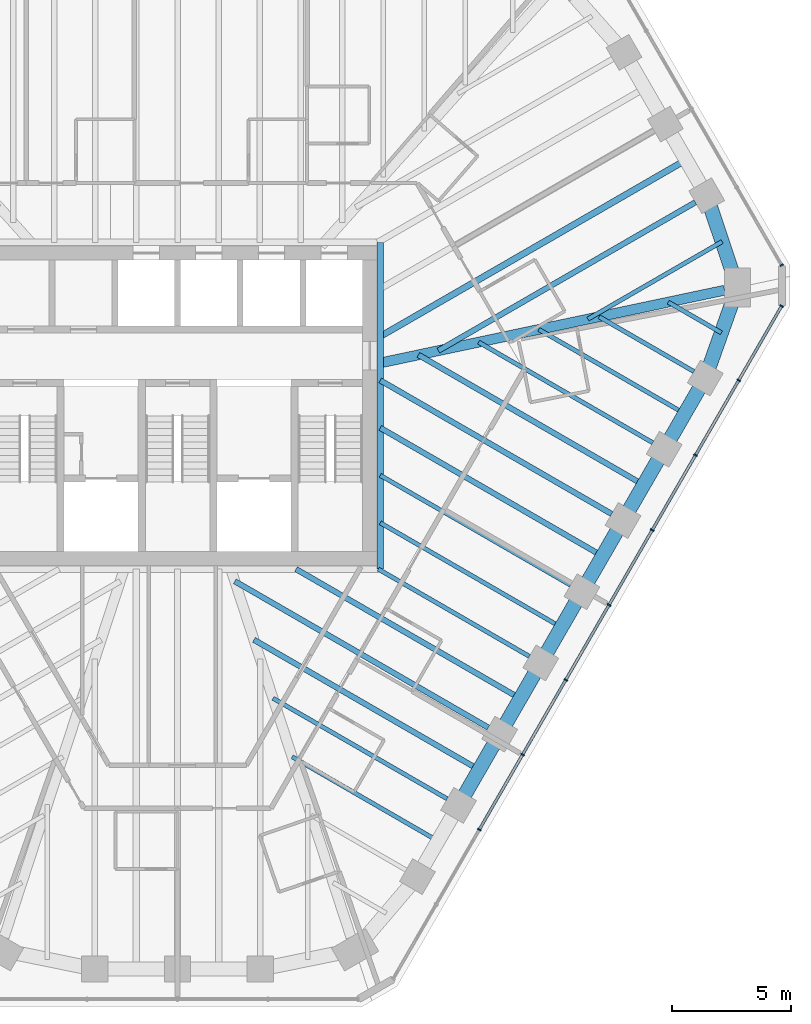
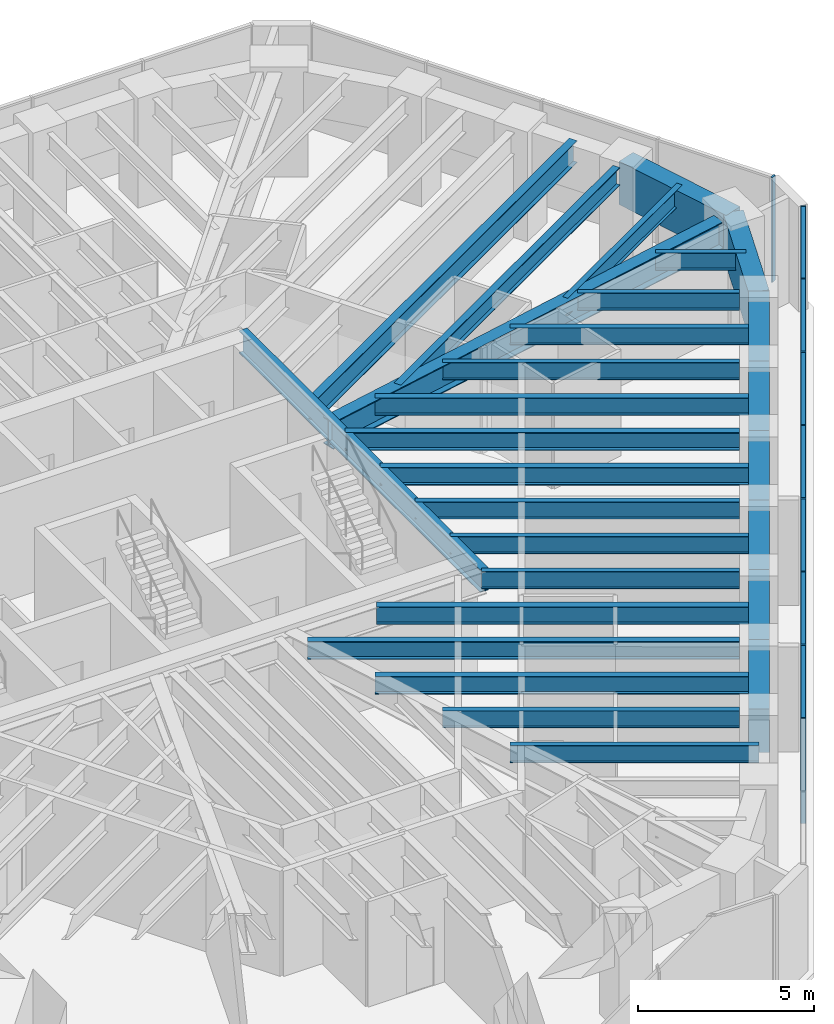
# One storey, part 5 of 14: 28 beams, 16 members, 2 elements without a shape of their own.
"""IFC4 building model written with IfcOpenShell, lengths in metres."""

from ifc_helpers import new_model, si_unit, direction, frame, origin, origin_2d, place, context, subcontext, project, spatial, rectangle, i_section, extrude, material, material_profile, profile_set, type_object, element, aggregate, save


model = new_model("IFC4")

# Units and contexts
model_context = context("Model", 3, precision=1e-05, world=origin(), true_north=direction((0.0, 1.0)))
body_context = subcontext(model_context, "Body", "Model", "MODEL_VIEW")
ifc_project = project(units=[si_unit("LENGTHUNIT", "METRE"), si_unit("AREAUNIT", "SQUARE_METRE"), si_unit("VOLUMEUNIT", "CUBIC_METRE"), si_unit("PLANEANGLEUNIT", "RADIAN"), si_unit("MASSUNIT", "GRAM", prefix="KILO")], contexts=[model_context])

# Site, building, storey
site_placement = place(None, origin())
site = spatial("IfcSite", under=ifc_project, at=site_placement, CompositionType="ELEMENT")
building_placement = place(site_placement, origin())
building = spatial("IfcBuilding", under=site, at=building_placement, Name="Sandreach Pilgrim Tower", CompositionType="ELEMENT")
storey_placement = place(building_placement, frame((0.0, 0.0, 287.39990234375)))
storey = spatial("IfcBuildingStorey", under=building, at=storey_placement, Name="L72", CompositionType="ELEMENT", Elevation=287.39990234375)

# Curtain wall, member
ifc_material_1 = material(Name="Aluminium framed curtain wall", Category="aluminium")
curtain_wall_type = type_object("IfcCurtainWallType", Name="Suite tower curtain wall", PredefinedType="NOTDEFINED", material=ifc_material_1)
curtain_wall_1_placement = place(storey_placement, origin())
curtain_wall_1 = element("IfcCurtainWall", 1, at=curtain_wall_1_placement, inside=storey, type_object=curtain_wall_type, Name="CW-4 L72 NE", PredefinedType="NOTDEFINED")
ifc_material_2 = material(Name="Aluminium extrusion", Category="aluminium")
ifc_material_profile_1 = material_profile(ifc_material_2, rectangle(XDim=0.06005859375, YDim=0.159912109375, at=origin_2d()), Name="CW-4M 60X160")
ifc_profile_set_1 = profile_set([ifc_material_profile_1], Name="Aluminium extrusion")
member_type_1 = type_object("IfcMemberType", Name="CW-4 mullion", PredefinedType="MULLION", material=ifc_profile_set_1)
member_1_placement = place(storey_placement, frame((25.304443359375, 5.8876953125, 0.0), z_axis=(0.0, 0.0, 1.0), x_axis=(0.5, -0.866025403784, 0.0)))
member_1 = element("IfcMember", 2, at=member_1_placement, type_object=member_type_1, Name="CW-4 mullion 5", PredefinedType="MULLION", context=body_context, shape_type="SweptSolid", body=[
    extrude(rectangle(XDim=0.06005859375, YDim=0.159912109375, at=origin_2d()), origin(), (0.0, 0.0, 1.0), 3.64013671875),
])
aggregate(curtain_wall_1, [member_1])

# Curtain wall, members
curtain_wall_2_placement = place(storey_placement, origin())
curtain_wall_2 = element("IfcCurtainWall", 3, at=curtain_wall_2_placement, inside=storey, type_object=curtain_wall_type, Name="CW-4 L72 SE", PredefinedType="NOTDEFINED")
member_2_placement = place(storey_placement, frame((25.304443359375, 4.175537109375, 0.0), z_axis=(0.0, 0.0, 1.0), x_axis=(-0.5, -0.866025403784, 0.0)))
member_2 = element("IfcMember", 4, at=member_2_placement, type_object=member_type_1, Name="CW-4 mullion 1", PredefinedType="MULLION", context=body_context, shape_type="SweptSolid", body=[
    extrude(rectangle(XDim=0.06005859375, YDim=0.159912109375, at=origin_2d()), origin(), (0.0, 0.0, 1.0), 3.64013671875),
])
member_3_placement = place(storey_placement, frame((23.508544921875, 1.06494140625, 0.0), z_axis=(0.0, 0.0, 1.0), x_axis=(-0.5, -0.866025403784, 0.0)))
member_3 = element("IfcMember", 5, at=member_3_placement, type_object=member_type_1, Name="CW-4 mullion 2", PredefinedType="MULLION", context=body_context, shape_type="SweptSolid", body=[
    extrude(rectangle(XDim=0.06005859375, YDim=0.159912109375, at=origin_2d()), origin(), (0.0, 0.0, 1.0), 3.64013671875),
])
member_4_placement = place(storey_placement, frame((21.697509765625, -2.071533203125, 0.0), z_axis=(0.0, 0.0, 1.0), x_axis=(-0.5, -0.866025403784, 0.0)))
member_4 = element("IfcMember", 6, at=member_4_placement, type_object=member_type_1, Name="CW-4 mullion 3", PredefinedType="MULLION", context=body_context, shape_type="SweptSolid", body=[
    extrude(rectangle(XDim=0.06005859375, YDim=0.159912109375, at=origin_2d()), origin(), (0.0, 0.0, 1.0), 3.64013671875),
])
member_5_placement = place(storey_placement, frame((19.886474609375, -5.208251953125, 0.0), z_axis=(0.0, 0.0, 1.0), x_axis=(-0.5, -0.866025403784, 0.0)))
member_5 = element("IfcMember", 7, at=member_5_placement, type_object=member_type_1, Name="CW-4 mullion 4", PredefinedType="MULLION", context=body_context, shape_type="SweptSolid", body=[
    extrude(rectangle(XDim=0.06005859375, YDim=0.159912109375, at=origin_2d()), origin(), (0.0, 0.0, 1.0), 3.64013671875),
])
member_6_placement = place(storey_placement, frame((18.07568359375, -8.344970703125, 0.0), z_axis=(0.0, 0.0, 1.0), x_axis=(-0.5, -0.866025403784, 0.0)))
member_6 = element("IfcMember", 8, at=member_6_placement, type_object=member_type_1, Name="CW-4 mullion 5", PredefinedType="MULLION", context=body_context, shape_type="SweptSolid", body=[
    extrude(rectangle(XDim=0.06005859375, YDim=0.159912109375, at=origin_2d()), origin(), (0.0, 0.0, 1.0), 3.64013671875),
])
member_7_placement = place(storey_placement, frame((16.2646484375, -11.4814453125, 0.0), z_axis=(0.0, 0.0, 1.0), x_axis=(-0.5, -0.866025403784, 0.0)))
member_7 = element("IfcMember", 9, at=member_7_placement, type_object=member_type_1, Name="CW-4 mullion 6", PredefinedType="MULLION", context=body_context, shape_type="SweptSolid", body=[
    extrude(rectangle(XDim=0.06005859375, YDim=0.159912109375, at=origin_2d()), origin(), (0.0, 0.0, 1.0), 3.64013671875),
])
member_8_placement = place(storey_placement, frame((14.453857421875, -14.6181640625, 0.0), z_axis=(0.0, 0.0, 1.0), x_axis=(-0.5, -0.866025403784, 0.0)))
member_8 = element("IfcMember", 10, at=member_8_placement, type_object=member_type_1, Name="CW-4 mullion 7", PredefinedType="MULLION", context=body_context, shape_type="SweptSolid", body=[
    extrude(rectangle(XDim=0.06005859375, YDim=0.159912109375, at=origin_2d()), origin(), (0.0, 0.0, 1.0), 3.64013671875),
])
member_9_placement = place(storey_placement, frame((12.642822265625, -17.7548828125, 0.0), z_axis=(0.0, 0.0, 1.0), x_axis=(-0.5, -0.866025403784, 0.0)))
member_9 = element("IfcMember", 11, at=member_9_placement, type_object=member_type_1, Name="CW-4 mullion 8", PredefinedType="MULLION", context=body_context, shape_type="SweptSolid", body=[
    extrude(rectangle(XDim=0.06005859375, YDim=0.159912109375, at=origin_2d()), origin(), (0.0, 0.0, 1.0), 3.64013671875),
])
ifc_material_3 = material(Name="Aluminium extrusion", Category="aluminium")
ifc_material_profile_2 = material_profile(ifc_material_3, rectangle(XDim=0.1201171875, YDim=0.070068359375, at=origin_2d()), Name="CW-4T 120X70")
ifc_profile_set_2 = profile_set([ifc_material_profile_2], Name="Aluminium extrusion")
member_type_2 = type_object("IfcMemberType", Name="CW-4 transom", PredefinedType="USERDEFINED", material=ifc_profile_set_2)
member_10_placement = place(storey_placement, frame((25.289306640625, 4.149658203125, 3.60498046875), z_axis=(-0.499997709859, -0.866026725994, 0.0), x_axis=(0.866026725994, -0.499997709859, 0.0)))
member_10 = element("IfcMember", 12, at=member_10_placement, type_object=member_type_2, Name="CW-4 head transom 1", ObjectType="TRANSOM", PredefinedType="USERDEFINED", context=body_context, shape_type="SweptSolid", body=[
    extrude(rectangle(XDim=0.1201171875, YDim=0.070068359375, at=origin_2d()), origin(), (0.0, 0.0, 1.0), 3.53173828125),
])
member_11_placement = place(storey_placement, frame((23.493408203125, 1.0390625, 3.60498046875), z_axis=(-0.500009219579, -0.866020080793, 0.0), x_axis=(0.866020080793, -0.500009219579, 0.0)))
member_11 = element("IfcMember", 13, at=member_11_placement, type_object=member_type_2, Name="CW-4 head transom 2", ObjectType="TRANSOM", PredefinedType="USERDEFINED", context=body_context, shape_type="SweptSolid", body=[
    extrude(rectangle(XDim=0.1201171875, YDim=0.070068359375, at=origin_2d()), origin(), (0.0, 0.0, 1.0), 3.56201171875),
])
member_12_placement = place(storey_placement, frame((21.6826171875, -2.09765625, 3.60498046875), z_axis=(-0.500009219579, -0.866020080793, 0.0), x_axis=(0.866020080793, -0.500009219579, 0.0)))
member_12 = element("IfcMember", 14, at=member_12_placement, type_object=member_type_2, Name="CW-4 head transom 3", ObjectType="TRANSOM", PredefinedType="USERDEFINED", context=body_context, shape_type="SweptSolid", body=[
    extrude(rectangle(XDim=0.1201171875, YDim=0.070068359375, at=origin_2d()), origin(), (0.0, 0.0, 1.0), 3.56201171875),
])
member_13_placement = place(storey_placement, frame((19.87158203125, -5.234375, 3.60498046875), z_axis=(-0.500038900691, -0.866002943295, 0.0), x_axis=(0.866002943295, -0.500038900691, 0.0)))
member_13 = element("IfcMember", 15, at=member_13_placement, type_object=member_type_2, Name="CW-4 head transom 4", ObjectType="TRANSOM", PredefinedType="USERDEFINED", context=body_context, shape_type="SweptSolid", body=[
    extrude(rectangle(XDim=0.1201171875, YDim=0.070068359375, at=origin_2d()), origin(), (0.0, 0.0, 1.0), 3.561767578125),
])
member_14_placement = place(storey_placement, frame((18.060546875, -8.370849609375, 3.60498046875), z_axis=(-0.499957811549, -0.866049759928, 0.0), x_axis=(0.866049759928, -0.499957811549, 0.0)))
member_14 = element("IfcMember", 16, at=member_14_placement, type_object=member_type_2, Name="CW-4 head transom 5", ObjectType="TRANSOM", PredefinedType="USERDEFINED", context=body_context, shape_type="SweptSolid", body=[
    extrude(rectangle(XDim=0.1201171875, YDim=0.070068359375, at=origin_2d()), origin(), (0.0, 0.0, 1.0), 3.561767578125),
])
member_15_placement = place(storey_placement, frame((16.249755859375, -11.507568359375, 3.60498046875), z_axis=(-0.500009219579, -0.866020080793, 0.0), x_axis=(0.866020080793, -0.500009219579, 0.0)))
member_15 = element("IfcMember", 17, at=member_15_placement, type_object=member_type_2, Name="CW-4 head transom 6", ObjectType="TRANSOM", PredefinedType="USERDEFINED", context=body_context, shape_type="SweptSolid", body=[
    extrude(rectangle(XDim=0.1201171875, YDim=0.070068359375, at=origin_2d()), origin(), (0.0, 0.0, 1.0), 3.56201171875),
])
member_16_placement = place(storey_placement, frame((14.438720703125, -14.64404296875, 3.60498046875), z_axis=(-0.499957811549, -0.866049759928, 0.0), x_axis=(0.866049759928, -0.499957811549, 0.0)))
member_16 = element("IfcMember", 18, at=member_16_placement, type_object=member_type_2, Name="CW-4 head transom 7", ObjectType="TRANSOM", PredefinedType="USERDEFINED", context=body_context, shape_type="SweptSolid", body=[
    extrude(rectangle(XDim=0.1201171875, YDim=0.070068359375, at=origin_2d()), origin(), (0.0, 0.0, 1.0), 3.561767578125),
])
aggregate(curtain_wall_2, [member_2, member_3, member_4, member_5, member_6, member_7, member_8, member_9, member_10, member_11, member_12, member_13, member_14, member_15, member_16])

# Beams
ifc_material_4 = material(Name="Steel ASTM A992 Grade 50", Category="steel")
ifc_material_profile_3 = material_profile(ifc_material_4, i_section(OverallWidth=0.2666015625, OverallDepth=0.77978515625, WebThickness=0.0166015625, FlangeThickness=0.030029296875, at=origin_2d()), Name="W30X148")
ifc_profile_set_3 = profile_set([ifc_material_profile_3], Name="Steel ASTM A992 Grade 50")
beam_type_1 = type_object("IfcBeamType", Name="Core edge beam W30X148", PredefinedType="BEAM", material=ifc_profile_set_3)
beam_1_placement = place(storey_placement, frame((8.493408203125, 6.84326171875, 3.250244140625), z_axis=(0.0, -1.0, 0.0), x_axis=(1.0, 0.0, 0.0)))
element("IfcBeam", 19, at=beam_1_placement, inside=storey, type_object=beam_type_1, Name="BM L72 CEE", PredefinedType="BEAM", context=body_context, shape_type="SweptSolid", body=[
    extrude(i_section(OverallWidth=0.2666015625, OverallDepth=0.77978515625, WebThickness=0.0166015625, FlangeThickness=0.030029296875, at=origin_2d()), origin(), (0.0, 0.0, 1.0), 13.6865234375),
])
ifc_material_5 = material(Name="Steel ASTM A992 Grade 50", Category="steel")
ifc_material_profile_4 = material_profile(ifc_material_5, i_section(OverallWidth=0.419189453125, OverallDepth=0.927001953125, WebThickness=0.019287109375, FlangeThickness=0.031982421875, at=origin_2d()), Name="W36X231")
ifc_profile_set_4 = profile_set([ifc_material_profile_4], Name="Steel ASTM A992 Grade 50")
beam_type_2 = type_object("IfcBeamType", Name="Corner girder W36X231", PredefinedType="BEAM", material=ifc_profile_set_4)
beam_2_placement = place(storey_placement, frame((22.917724609375, 4.838623046875, 3.176513671875), z_axis=(-0.978430270369, -0.206577360876, 0.0), x_axis=(0.206577360876, -0.978430270369, 0.0)))
element("IfcBeam", 20, at=beam_2_placement, inside=storey, type_object=beam_type_2, Name="BM L72 CG13", PredefinedType="BEAM", context=body_context, shape_type="SweptSolid", body=[
    extrude(i_section(OverallWidth=0.419189453125, OverallDepth=0.927001953125, WebThickness=0.019287109375, FlangeThickness=0.031982421875, at=origin_2d()), origin(), (0.0, 0.0, 1.0), 14.888671875),
])
ifc_material_6 = material(Name="Steel ASTM A992 Grade 50", Category="steel")
ifc_material_profile_5 = material_profile(ifc_material_6, i_section(OverallWidth=0.1787109375, OverallDepth=0.60205078125, WebThickness=0.010986328125, FlangeThickness=0.014892578125, at=origin_2d()), Name="W24X62")
ifc_profile_set_5 = profile_set([ifc_material_profile_5], Name="Steel ASTM A992 Grade 50")
beam_type_3 = type_object("IfcBeamType", Name="Floor beam W24X62", PredefinedType="BEAM", material=ifc_profile_set_5)
beam_3_placement = place(storey_placement, frame((21.631591796875, 1.433837890625, 3.339111328125), z_axis=(-0.866037621819, 0.499978837146, 0.0), x_axis=(-0.499978837146, -0.866037621819, 0.0)))
element("IfcBeam", 21, at=beam_3_placement, inside=storey, type_object=beam_type_3, Name="BM L72 F14", PredefinedType="BEAM", context=body_context, shape_type="SweptSolid", body=[
    extrude(i_section(OverallWidth=0.1787109375, OverallDepth=0.60205078125, WebThickness=0.010986328125, FlangeThickness=0.014892578125, at=origin_2d()), origin(), (0.0, 0.0, 1.0), 4.588623046875),
])
beam_4_placement = place(storey_placement, frame((19.908935546875, -1.549560546875, 3.339111328125), z_axis=(-0.866026819143, 0.499997548519, 0.0), x_axis=(-0.499997548519, -0.866026819143, 0.0)))
element("IfcBeam", 22, at=beam_4_placement, inside=storey, type_object=beam_type_3, Name="BM L72 F15", PredefinedType="BEAM", context=body_context, shape_type="SweptSolid", body=[
    extrude(i_section(OverallWidth=0.1787109375, OverallDepth=0.60205078125, WebThickness=0.010986328125, FlangeThickness=0.014892578125, at=origin_2d()), origin(), (0.0, 0.0, 1.0), 8.4248046875),
])
beam_5_placement = place(storey_placement, frame((16.4638671875, -7.516357421875, 3.339111328125), z_axis=(-0.866022580836, 0.500004889459, 0.0), x_axis=(-0.500004889459, -0.866022580836, 0.0)))
element("IfcBeam", 23, at=beam_5_placement, inside=storey, type_object=beam_type_3, Name="BM L72 F17", PredefinedType="BEAM", context=body_context, shape_type="SweptSolid", body=[
    extrude(i_section(OverallWidth=0.1787109375, OverallDepth=0.60205078125, WebThickness=0.010986328125, FlangeThickness=0.014892578125, at=origin_2d()), origin(), (0.0, 0.0, 1.0), 9.20361328125),
])
beam_6_placement = place(storey_placement, frame((14.741455078125, -10.5, 3.339111328125), z_axis=(-0.866019920622, 0.500009496996, 0.0), x_axis=(-0.500009496996, -0.866019920622, 0.0)))
element("IfcBeam", 24, at=beam_6_placement, inside=storey, type_object=beam_type_3, Name="BM L72 F18", PredefinedType="BEAM", context=body_context, shape_type="SweptSolid", body=[
    extrude(i_section(OverallWidth=0.1787109375, OverallDepth=0.60205078125, WebThickness=0.010986328125, FlangeThickness=0.014892578125, at=origin_2d()), origin(), (0.0, 0.0, 1.0), 7.313232421875),
])
beam_7_placement = place(storey_placement, frame((11.29638671875, -16.466796875, 3.339111328125), z_axis=(-0.866026819143, 0.499997548519, 0.0), x_axis=(-0.499997548519, -0.866026819143, 0.0)))
element("IfcBeam", 25, at=beam_7_placement, inside=storey, type_object=beam_type_3, Name="BM L72 F20", PredefinedType="BEAM", context=body_context, shape_type="SweptSolid", body=[
    extrude(i_section(OverallWidth=0.1787109375, OverallDepth=0.60205078125, WebThickness=0.010986328125, FlangeThickness=0.014892578125, at=origin_2d()), origin(), (0.0, 0.0, 1.0), 8.4248046875),
])
beam_8_placement = place(storey_placement, frame((22.8125, 6.875, 3.339111328125), z_axis=(-0.866023980233, -0.500002465655, 0.0), x_axis=(0.500002465655, -0.866023980233, 0.0)))
element("IfcBeam", 26, at=beam_8_placement, inside=storey, type_object=beam_type_3, Name="BM L72 FM12", PredefinedType="BEAM", context=body_context, shape_type="SweptSolid", body=[
    extrude(i_section(OverallWidth=0.1787109375, OverallDepth=0.60205078125, WebThickness=0.010986328125, FlangeThickness=0.014892578125, at=origin_2d()), origin(), (0.0, 0.0, 1.0), 6.49072265625),
])
beam_9_placement = place(storey_placement, frame((22.78173828125, 3.0556640625, 3.339111328125), z_axis=(-0.8660004255, 0.500043261163, 0.0), x_axis=(-0.500043261163, -0.8660004255, 0.0)))
element("IfcBeam", 27, at=beam_9_placement, inside=storey, type_object=beam_type_3, Name="BM L72 FM13", PredefinedType="BEAM", context=body_context, shape_type="SweptSolid", body=[
    extrude(i_section(OverallWidth=0.1787109375, OverallDepth=0.60205078125, WebThickness=0.010986328125, FlangeThickness=0.014892578125, at=origin_2d()), origin(), (0.0, 0.0, 1.0), 2.569091796875),
])
beam_10_placement = place(storey_placement, frame((21.24658203125, -0.332763671875, 3.339111328125), z_axis=(-0.866028878405, 0.499993981732, 0.0), x_axis=(-0.499993981732, -0.866028878405, 0.0)))
element("IfcBeam", 28, at=beam_10_placement, inside=storey, type_object=beam_type_3, Name="BM L72 FM14", PredefinedType="BEAM", context=body_context, shape_type="SweptSolid", body=[
    extrude(i_section(OverallWidth=0.1787109375, OverallDepth=0.60205078125, WebThickness=0.010986328125, FlangeThickness=0.014892578125, at=origin_2d()), origin(), (0.0, 0.0, 1.0), 7.056640625),
])
beam_11_placement = place(storey_placement, frame((16.0791015625, -9.283203125, 3.339111328125), z_axis=(-0.866023595995, 0.500003131169, 0.0), x_axis=(-0.500003131169, -0.866023595995, 0.0)))
element("IfcBeam", 29, at=beam_11_placement, inside=storey, type_object=beam_type_3, Name="BM L72 FM17", PredefinedType="BEAM", context=body_context, shape_type="SweptSolid", body=[
    extrude(i_section(OverallWidth=0.1787109375, OverallDepth=0.60205078125, WebThickness=0.010986328125, FlangeThickness=0.014892578125, at=origin_2d()), origin(), (0.0, 0.0, 1.0), 8.75927734375),
])
beam_12_placement = place(storey_placement, frame((10.911376953125, -18.233642578125, 3.339111328125), z_axis=(-0.866020229007, 0.50000896287, 0.0), x_axis=(-0.50000896287, -0.866020229007, 0.0)))
element("IfcBeam", 30, at=beam_12_placement, inside=storey, type_object=beam_type_3, Name="BM L72 FM20", PredefinedType="BEAM", context=body_context, shape_type="SweptSolid", body=[
    extrude(i_section(OverallWidth=0.1787109375, OverallDepth=0.60205078125, WebThickness=0.010986328125, FlangeThickness=0.014892578125, at=origin_2d()), origin(), (0.0, 0.0, 1.0), 7.056396484375),
])
ifc_material_7 = material(Name="Steel ASTM A992 Grade 50", Category="steel")
ifc_material_profile_6 = material_profile(ifc_material_7, i_section(OverallWidth=0.23046875, OverallDepth=0.6171875, WebThickness=0.01318359375, FlangeThickness=0.022216796875, at=origin_2d()), Name="W24X94")
ifc_profile_set_6 = profile_set([ifc_material_profile_6], Name="Steel ASTM A992 Grade 50")
beam_type_4 = type_object("IfcBeamType", Name="Floor beam W24X94", PredefinedType="BEAM", material=ifc_profile_set_6)
beam_13_placement = place(storey_placement, frame((21.69287109375, 8.522705078125, 3.33154296875), z_axis=(-0.866028931402, -0.499993889937, 0.0), x_axis=(0.499993889937, -0.866028931402, 0.0)))
element("IfcBeam", 31, at=beam_13_placement, inside=storey, type_object=beam_type_4, Name="BM L72 F12", PredefinedType="BEAM", context=body_context, shape_type="SweptSolid", body=[
    extrude(i_section(OverallWidth=0.23046875, OverallDepth=0.6171875, WebThickness=0.01318359375, FlangeThickness=0.022216796875, at=origin_2d()), origin(), (0.0, 0.0, 1.0), 12.431396484375),
])
beam_14_placement = place(storey_placement, frame((18.1865234375, -4.532958984375, 3.33154296875), z_axis=(-0.866030482771, 0.499991202833, 0.0), x_axis=(-0.499991202833, -0.866030482771, 0.0)))
element("IfcBeam", 32, at=beam_14_placement, inside=storey, type_object=beam_type_4, Name="BM L72 F16", PredefinedType="BEAM", context=body_context, shape_type="SweptSolid", body=[
    extrude(i_section(OverallWidth=0.23046875, OverallDepth=0.6171875, WebThickness=0.01318359375, FlangeThickness=0.022216796875, at=origin_2d()), origin(), (0.0, 0.0, 1.0), 11.192626953125),
])
beam_15_placement = place(storey_placement, frame((13.018798828125, -13.4833984375, 3.33154296875), z_axis=(-0.866019132277, 0.500010862412, 0.0), x_axis=(-0.500010862412, -0.866019132277, 0.0)))
element("IfcBeam", 33, at=beam_15_placement, inside=storey, type_object=beam_type_4, Name="BM L72 F19", PredefinedType="BEAM", context=body_context, shape_type="SweptSolid", body=[
    extrude(i_section(OverallWidth=0.23046875, OverallDepth=0.6171875, WebThickness=0.01318359375, FlangeThickness=0.022216796875, at=origin_2d()), origin(), (0.0, 0.0, 1.0), 12.261474609375),
])
beam_16_placement = place(storey_placement, frame((19.52392578125, -3.316162109375, 3.33154296875), z_axis=(-0.866029205616, 0.499993414976, 0.0), x_axis=(-0.499993414976, -0.866029205616, 0.0)))
element("IfcBeam", 34, at=beam_16_placement, inside=storey, type_object=beam_type_4, Name="BM L72 FM15", PredefinedType="BEAM", context=body_context, shape_type="SweptSolid", body=[
    extrude(i_section(OverallWidth=0.23046875, OverallDepth=0.6171875, WebThickness=0.01318359375, FlangeThickness=0.022216796875, at=origin_2d()), origin(), (0.0, 0.0, 1.0), 10.893310546875),
])
beam_17_placement = place(storey_placement, frame((17.801513671875, -6.2998046875, 3.33154296875), z_axis=(-0.866025958161, 0.49999903979, 0.0), x_axis=(-0.49999903979, -0.866025958161, 0.0)))
element("IfcBeam", 35, at=beam_17_placement, inside=storey, type_object=beam_type_4, Name="BM L72 FM16", PredefinedType="BEAM", context=body_context, shape_type="SweptSolid", body=[
    extrude(i_section(OverallWidth=0.23046875, OverallDepth=0.6171875, WebThickness=0.01318359375, FlangeThickness=0.022216796875, at=origin_2d()), origin(), (0.0, 0.0, 1.0), 10.748046875),
])
beam_18_placement = place(storey_placement, frame((14.3564453125, -12.2666015625, 3.33154296875), z_axis=(-0.866026660645, 0.499997823047, 0.0), x_axis=(-0.499997823047, -0.866026660645, 0.0)))
element("IfcBeam", 36, at=beam_18_placement, inside=storey, type_object=beam_type_4, Name="BM L72 FM18", PredefinedType="BEAM", context=body_context, shape_type="SweptSolid", body=[
    extrude(i_section(OverallWidth=0.23046875, OverallDepth=0.6171875, WebThickness=0.01318359375, FlangeThickness=0.022216796875, at=origin_2d()), origin(), (0.0, 0.0, 1.0), 10.8466796875),
])
beam_19_placement = place(storey_placement, frame((12.634033203125, -15.250244140625, 3.33154296875), z_axis=(-0.866019500887, 0.500010223979, 0.0), x_axis=(-0.500010223979, -0.866019500887, 0.0)))
element("IfcBeam", 37, at=beam_19_placement, inside=storey, type_object=beam_type_4, Name="BM L72 FM19", PredefinedType="BEAM", context=body_context, shape_type="SweptSolid", body=[
    extrude(i_section(OverallWidth=0.23046875, OverallDepth=0.6171875, WebThickness=0.01318359375, FlangeThickness=0.022216796875, at=origin_2d()), origin(), (0.0, 0.0, 1.0), 10.893310546875),
])
ifc_material_8 = material(Name="Steel ASTM A992 Grade 50", Category="steel")
ifc_material_profile_7 = material_profile(ifc_material_8, i_section(OverallWidth=0.2666015625, OverallDepth=0.761962890625, WebThickness=0.014404296875, FlangeThickness=0.021484375, at=origin_2d()), Name="W30X116")
ifc_profile_set_7 = profile_set([ifc_material_profile_7], Name="Steel ASTM A992 Grade 50")
beam_type_5 = type_object("IfcBeamType", Name="Floor beam W30X116", PredefinedType="BEAM", material=ifc_profile_set_7)
beam_20_placement = place(storey_placement, frame((21.302978515625, 10.29833984375, 3.259033203125), z_axis=(-0.866028362181, -0.499994875871, 0.0), x_axis=(0.499994875871, -0.866028362181, 0.0)))
element("IfcBeam", 38, at=beam_20_placement, inside=storey, type_object=beam_type_5, Name="BM L72 FM11", PredefinedType="BEAM", context=body_context, shape_type="SweptSolid", body=[
    extrude(i_section(OverallWidth=0.2666015625, OverallDepth=0.761962890625, WebThickness=0.014404296875, FlangeThickness=0.021484375, at=origin_2d()), origin(), (0.0, 0.0, 1.0), 14.791259765625),
])
ifc_material_9 = material(Name="Concrete 10000 psi", Category="concrete")
ifc_material_profile_8 = material_profile(ifc_material_9, rectangle(XDim=0.60009765625, YDim=1.5, at=origin_2d()), Name="RC600X1500")
ifc_profile_set_8 = profile_set([ifc_material_profile_8], Name="Concrete 10000 psi")
beam_type_6 = type_object("IfcBeamType", Name="Spandrel beam RC600X1500", PredefinedType="SPANDREL", material=ifc_profile_set_8)
beam_21_placement = place(storey_placement, frame((22.169189453125, 8.7978515625, 2.89013671875), z_axis=(0.317293238289, -0.948327475578, 0.0), x_axis=(0.948327475578, 0.317293238289, 0.0)))
element("IfcBeam", 39, at=beam_21_placement, inside=storey, type_object=beam_type_6, Name="BM L72 SP12", PredefinedType="SPANDREL", context=body_context, shape_type="SweptSolid", body=[
    extrude(rectangle(XDim=0.60009765625, YDim=1.5, at=origin_2d()), origin(), (0.0, 0.0, 1.0), 4.054931640625),
])
beam_22_placement = place(storey_placement, frame((23.455810546875, 4.952392578125, 2.89013671875), z_axis=(-0.33481464839, -0.94228400773, 0.0), x_axis=(0.94228400773, -0.33481464839, 0.0)))
element("IfcBeam", 40, at=beam_22_placement, inside=storey, type_object=beam_type_6, Name="BM L72 SP13", PredefinedType="SPANDREL", context=body_context, shape_type="SweptSolid", body=[
    extrude(rectangle(XDim=0.60009765625, YDim=1.5, at=origin_2d()), origin(), (0.0, 0.0, 1.0), 4.02587890625),
])
for number, where, z_axis, x_axis, name in (
    (41, (22.10791015625, 1.158935546875, 2.89013671875), (-0.500041441558, -0.866001476168, 0.0), (0.866001476168, -0.500041441558, 0.0), "BM L72 SP14"),
    (42, (20.38525390625, -1.824462890625, 2.89013671875), (-0.499957605418, -0.866049878924, 0.0), (0.866049878924, -0.499957605418, 0.0), "BM L72 SP15"),
    (43, (18.662841796875, -4.80810546875, 2.89013671875), (-0.500041441558, -0.866001476168, 0.0), (0.866001476168, -0.500041441558, 0.0), "BM L72 SP16"),
):
    element("IfcBeam", number, at=place(storey_placement, frame(where, z_axis=z_axis, x_axis=x_axis)), inside=storey, type_object=beam_type_6, Name=name, PredefinedType="SPANDREL", context=body_context, shape_type="SweptSolid", body=[
        extrude(rectangle(XDim=0.60009765625, YDim=1.5, at=origin_2d()), origin(), (0.0, 0.0, 1.0), 3.445068359375),
    ])
beam_23_placement = place(storey_placement, frame((16.940185546875, -7.79150390625, 2.89013671875), z_axis=(-0.499988291006, -0.866032163869, 0.0), x_axis=(0.866032163869, -0.499988291006, 0.0)))
element("IfcBeam", 44, at=beam_23_placement, inside=storey, type_object=beam_type_6, Name="BM L72 SP17", PredefinedType="SPANDREL", context=body_context, shape_type="SweptSolid", body=[
    extrude(rectangle(XDim=0.60009765625, YDim=1.5, at=origin_2d()), origin(), (0.0, 0.0, 1.0), 3.44482421875),
])
beam_24_placement = place(storey_placement, frame((15.2177734375, -10.77490234375, 2.89013671875), z_axis=(-0.500010754882, -0.866019194361, 0.0), x_axis=(0.866019194361, -0.500010754882, 0.0)))
element("IfcBeam", 45, at=beam_24_placement, inside=storey, type_object=beam_type_6, Name="BM L72 SP18", PredefinedType="SPANDREL", context=body_context, shape_type="SweptSolid", body=[
    extrude(rectangle(XDim=0.60009765625, YDim=1.5, at=origin_2d()), origin(), (0.0, 0.0, 1.0), 3.4453125),
])
beam_25_placement = place(storey_placement, frame((13.4951171875, -13.758544921875, 2.89013671875), z_axis=(-0.499988291006, -0.866032163869, 0.0), x_axis=(0.866032163869, -0.499988291006, 0.0)))
element("IfcBeam", 46, at=beam_25_placement, inside=storey, type_object=beam_type_6, Name="BM L72 SP19", PredefinedType="SPANDREL", context=body_context, shape_type="SweptSolid", body=[
    extrude(rectangle(XDim=0.60009765625, YDim=1.5, at=origin_2d()), origin(), (0.0, 0.0, 1.0), 3.44482421875),
])

save(model, "model.ifc")
